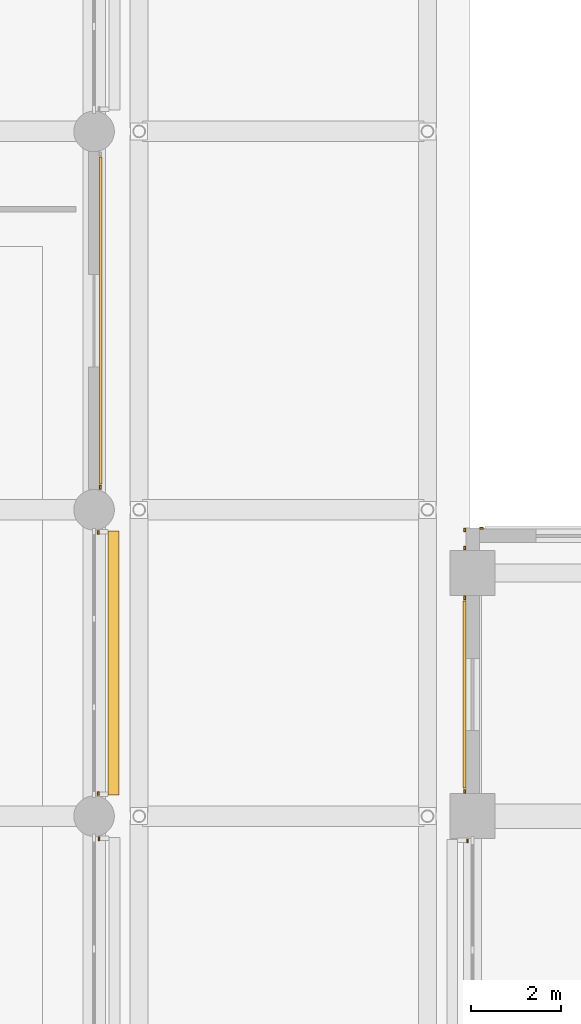
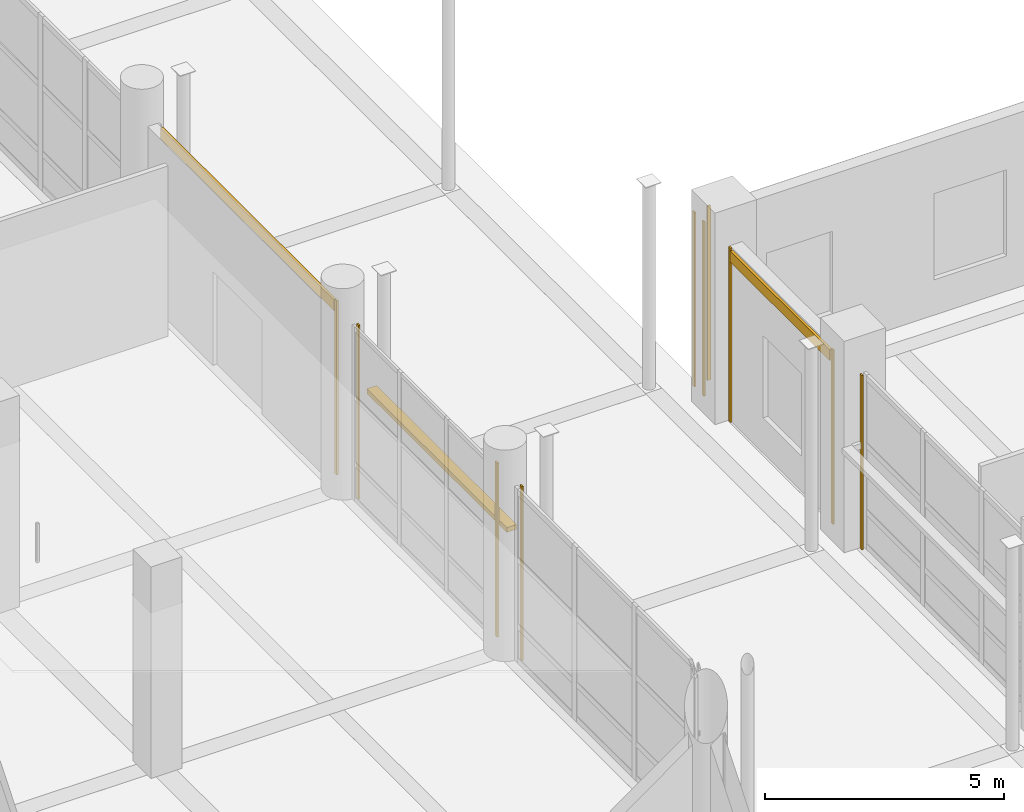
# One storey, part 108 of 140: 12 coverings, 1 shading device.
"""IFC4 building model written with IfcOpenShell, lengths in metres."""

from ifc_helpers import new_model, si_unit, direction, frame, origin, origin_2d, place, context, subcontext, project, spatial, rectangle, extrude, material, layer, layer_set, type_object, element, save


model = new_model("IFC4")

# Units and contexts
model_context = context("Model", 3, precision=1e-05, world=origin(), true_north=direction((0.0, 1.0)))
body_context = subcontext(model_context, "Body", "Model", "MODEL_VIEW")
ifc_project = project(units=[si_unit("LENGTHUNIT", "METRE"), si_unit("AREAUNIT", "SQUARE_METRE"), si_unit("VOLUMEUNIT", "CUBIC_METRE"), si_unit("PLANEANGLEUNIT", "RADIAN"), si_unit("MASSUNIT", "GRAM", prefix="KILO")], contexts=[model_context])

# Site, building, storey
site_placement = place(None, origin())
site = spatial("IfcSite", under=ifc_project, at=site_placement, CompositionType="ELEMENT")
building_placement = place(site_placement, origin())
building = spatial("IfcBuilding", under=site, at=building_placement, Name="Telukmera Botanical Conservatory", CompositionType="ELEMENT")
storey_placement = place(building_placement, origin())
storey = spatial("IfcBuildingStorey", under=building, at=storey_placement, Name="L00", CompositionType="ELEMENT", Elevation=0.0)

# Coverings
ifc_material_1 = material(Name="Granite-faced precast concrete C40/50", Category="masonry")
ifc_layer_1 = layer(ifc_material_1, 0.0400390625)
ifc_layer_set_1 = layer_set([ifc_layer_1], Name="Granite-faced precast concrete C40/50")
covering_type_1 = type_object("IfcCoveringType", Name="Granite Precast Column Pier Reveal Casing", PredefinedType="CLADDING", material=ifc_layer_set_1)
for number, where, z_axis, x_axis, name in (
    (1, (42.110107421875, 42.298095703125, 0.0), (0.0, 0.0, 1.0), (0.0, 1.0, 0.0), "Granite Pier Reveal V3:L00:E3 R"),
    (2, (42.090087890625, 43.302001953125, 0.0), (0.0, 0.0, 1.0), (0.0, 1.0, 0.0), "Granite Pier Reveal V3:L00:E4 L"),
    (3, (42.090087890625, 49.097900390625, 0.0), (0.0, 0.0, 1.0), (0.0, 1.0, 0.0), "Granite Pier Reveal V3:L00:E4 R"),
    (4, (42.139892578125, 50.10205078125, 0.0), (0.0, 0.0, 1.0), (0.0, 1.0, 0.0), "Granite Pier Reveal V3:L00:E5 L"),
    (5, (50.22998046875, 48.751953125, 0.0), (0.0, 0.0, 1.0), (0.0, 1.0, 0.0), "Granite Pier Reveal V4:L00:NWC L"),
    (6, (50.22998046875, 49.14990234375, 0.0), (0.0, 0.0, 1.0), (0.0, 1.0, 0.0), "Granite Pier Reveal V4:L00:NWC R"),
    (7, (50.60205078125, 49.18994140625, 0.0), (0.0, 0.0, 1.0), (1.0, 0.0, 0.0), "Granite Pier Reveal V4:L00:N1 L"),
    (8, (50.2900390625, 42.248046875, 0.0), (0.0, 0.0, 1.0), (0.0, 1.0, 0.0), "Granite Pier Reveal V4:L00:W4 R"),
    (9, (50.22998046875, 43.35205078125, 0.0), (0.0, 0.0, 1.0), (0.0, 1.0, 0.0), "Granite Pier Reveal V4:L00:W5 L"),
    (10, (50.22998046875, 47.64794921875, 0.0), (0.0, 0.0, 1.0), (0.0, 1.0, 0.0), "Granite Pier Reveal V4:L00:W5 R"),
):
    element("IfcCovering", number, at=place(storey_placement, frame(where, z_axis=z_axis, x_axis=x_axis)), inside=storey, type_object=covering_type_1, Name=name, PredefinedType="CLADDING", context=body_context, shape_type="SweptSolid", body=[
        extrude(rectangle(XDim=0.080078125, YDim=0.0400390625, at=origin_2d()), origin(), (0.0, 0.0, 1.0), 4.449951171875),
    ])

# Shading device
ifc_material_2 = material(Name="Perforated terracotta-anodised aluminium 6063-T6", Category="masonry")
ifc_layer_2 = layer(ifc_material_2, 0.044921875)
ifc_layer_set_2 = layer_set([ifc_layer_2], Name="Perforated terracotta-anodised aluminium 6063-T6")
shading_device_type = type_object("IfcShadingDeviceType", Name="Perforated Terracotta Aluminium Monsoon Brise Soleil", PredefinedType="JALOUSIE", material=ifc_layer_set_2)
shading_device_placement = place(storey_placement, frame((42.429931640625, 46.199951171875, 2.58984375), z_axis=(0.0, 0.0, 1.0), x_axis=(0.0, 1.0, 0.0)))
element("IfcShadingDevice", 11, at=shading_device_placement, inside=storey, type_object=shading_device_type, Name="Monsoon Shading BS01 V3:L00:E4", PredefinedType="JALOUSIE", context=body_context, shape_type="SweptSolid", body=[
    extrude(rectangle(XDim=5.85595703125, YDim=0.239990234375, at=origin_2d()), origin(), (0.0, 0.0, 1.0), 0.1201171875),
])

# Coverings
ifc_material_3 = material(Name="Terracotta-faced precast concrete C40/50", Category="masonry")
ifc_layer_3 = layer(ifc_material_3, 0.06005859375)
ifc_layer_set_3 = layer_set([ifc_layer_3], Name="Terracotta-faced precast concrete C40/50")
covering_type_2 = type_object("IfcCoveringType", Name="Polychrome Terracotta Facade Band Cladding", PredefinedType="CLADDING", material=ifc_layer_set_3)
covering_1_placement = place(storey_placement, frame((42.14990234375, 53.800048828125, 4.1298828125), z_axis=(0.0, 0.0, 1.0), x_axis=(0.0, 1.0, 0.0)))
element("IfcCovering", 12, at=covering_1_placement, inside=storey, type_object=covering_type_2, Name="Polychrome Terracotta Band V3:L00:E5", PredefinedType="CLADDING", context=body_context, shape_type="SweptSolid", body=[
    extrude(rectangle(XDim=7.256103515625, YDim=0.06005859375, at=origin_2d()), origin(), (0.0, 0.0, 1.0), 0.280029296875),
])
covering_2_placement = place(storey_placement, frame((50.219970703125, 45.5, 4.1298828125), z_axis=(0.0, 0.0, 1.0), x_axis=(0.0, 1.0, 0.0)))
element("IfcCovering", 13, at=covering_2_placement, inside=storey, type_object=covering_type_2, Name="Polychrome Terracotta Band V4:L00:W5", PredefinedType="CLADDING", context=body_context, shape_type="SweptSolid", body=[
    extrude(rectangle(XDim=4.156005859375, YDim=0.06005859375, at=origin_2d()), origin(), (0.0, 0.0, 1.0), 0.280029296875),
])

save(model, "model.ifc")
